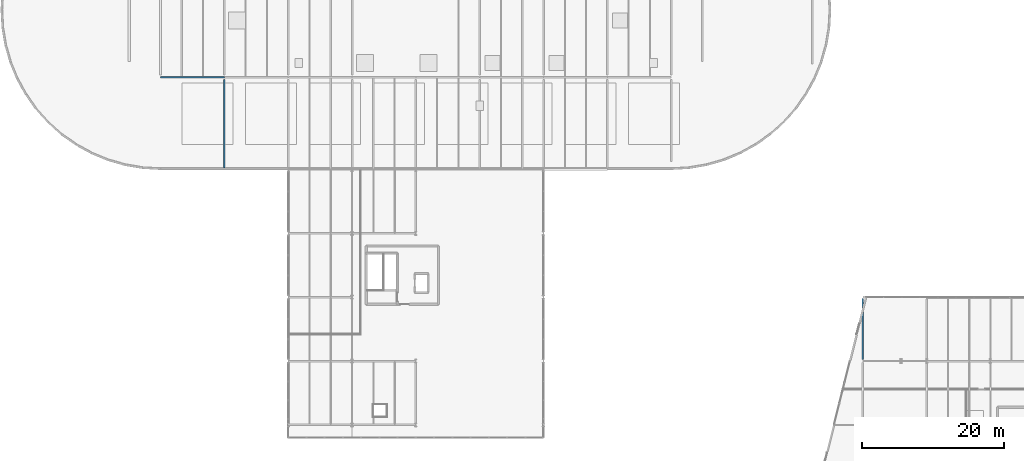
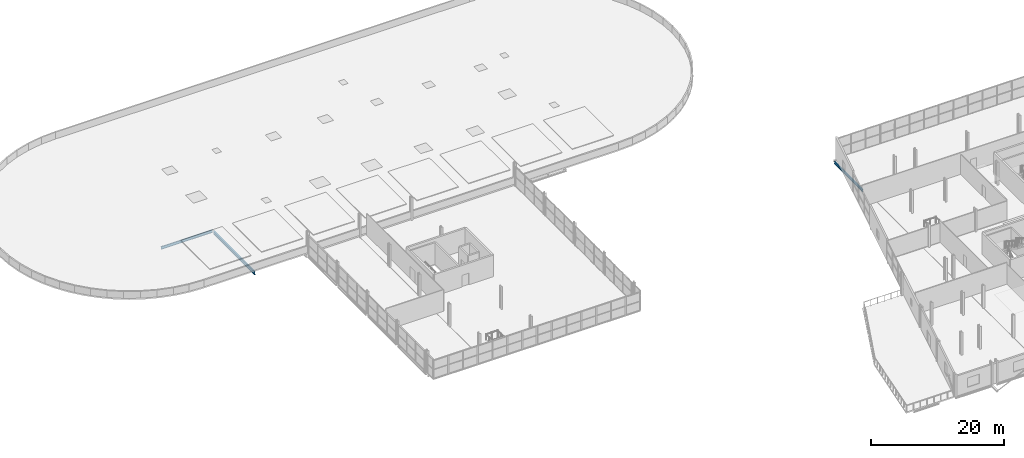
# One storey, part 18 of 59: 3 beams.
"""IFC4 building model written with IfcOpenShell, lengths in metres."""

from ifc_helpers import new_model, si_unit, direction, frame, origin, origin_2d, place, context, subcontext, project, spatial, i_section, extrude, material, material_profile, profile_set, type_object, element, save


model = new_model("IFC4")

# Units and contexts
model_context = context("Model", 3, precision=1e-05, world=origin(), true_north=direction((0.0, 1.0)))
body_context = subcontext(model_context, "Body", "Model", "MODEL_VIEW")
ifc_project = project(units=[si_unit("LENGTHUNIT", "METRE"), si_unit("AREAUNIT", "SQUARE_METRE"), si_unit("VOLUMEUNIT", "CUBIC_METRE"), si_unit("PLANEANGLEUNIT", "RADIAN"), si_unit("MASSUNIT", "GRAM", prefix="KILO")], contexts=[model_context])

# Site, building, storey
site_placement = place(None, origin())
site = spatial("IfcSite", under=ifc_project, at=site_placement, CompositionType="ELEMENT")
building_placement = place(site_placement, origin())
building = spatial("IfcBuilding", under=site, at=building_placement, Name="Deido Ridge Mobility Hub", CompositionType="ELEMENT")
storey_placement = place(building_placement, frame((0.0, 0.0, 21.0)))
storey = spatial("IfcBuildingStorey", under=building, at=storey_placement, Name="L05", CompositionType="ELEMENT", Elevation=21.0)

# Beams
ifc_material = material(Name="Steel S355J2 EN 10025-2", Category="steel")
ifc_material_profile_1 = material_profile(ifc_material, i_section(OverallWidth=0.18994140625, OverallDepth=0.449951171875, WebThickness=0.009521484375, FlangeThickness=0.0146484375, FilletRadius=0.02099609375, at=origin_2d()), Name="IPE 450")
ifc_profile_set_1 = profile_set([ifc_material_profile_1], Name="Steel S355J2 EN 10025-2")
beam_type_1 = type_object("IfcBeamType", Name="BM-IPE450", PredefinedType="BEAM", material=ifc_profile_set_1)
beam_1_placement = place(storey_placement, frame((144.0, 54.196533203125, -0.469970703125), z_axis=(0.0, 1.0, 0.0), x_axis=(-1.0, 0.0, 0.0)))
element("IfcBeam", 1, at=beam_1_placement, inside=storey, type_object=beam_type_1, Name="Floor beam B4", PredefinedType="BEAM", context=body_context, shape_type="SweptSolid", body=[
    extrude(i_section(OverallWidth=0.18994140625, OverallDepth=0.449951171875, WebThickness=0.009521484375, FlangeThickness=0.0146484375, FilletRadius=0.02099609375, at=origin_2d()), origin(), (0.0, 0.0, 1.0), 8.60693359375),
])
ifc_material_profile_2 = material_profile(ifc_material, i_section(OverallWidth=0.199951171875, OverallDepth=0.5, WebThickness=0.01025390625, FlangeThickness=0.01611328125, FilletRadius=0.02099609375, at=origin_2d()), Name="IPE 500")
ifc_profile_set_2 = profile_set([ifc_material_profile_2], Name="Steel S355J2 EN 10025-2")
beam_type_2 = type_object("IfcBeamType", Name="BM-IPE500", PredefinedType="BEAM", material=ifc_profile_set_2)
beam_2_placement = place(storey_placement, frame((45.0078125, 94.0, -0.4951171875), z_axis=(1.0, 0.0, 0.0), x_axis=(0.0, 1.0, 0.0)))
element("IfcBeam", 2, at=beam_2_placement, inside=storey, type_object=beam_type_2, Name="Floor beam B3", PredefinedType="BEAM", context=body_context, shape_type="SweptSolid", body=[
    extrude(i_section(OverallWidth=0.199951171875, OverallDepth=0.5, WebThickness=0.01025390625, FlangeThickness=0.01611328125, FilletRadius=0.02099609375, at=origin_2d()), origin(), (0.0, 0.0, 1.0), 8.984375),
])
ifc_material_profile_3 = material_profile(ifc_material, i_section(OverallWidth=0.219970703125, OverallDepth=0.60009765625, WebThickness=0.011962890625, FlangeThickness=0.01904296875, FilletRadius=0.02392578125, at=origin_2d()), Name="IPE 600")
ifc_profile_set_3 = profile_set([ifc_material_profile_3], Name="Steel S355J2 EN 10025-2")
beam_type_3 = type_object("IfcBeamType", Name="BM-IPE600", PredefinedType="BEAM", material=ifc_profile_set_3)
beam_3_placement = place(storey_placement, frame((54.0, 81.25, -0.544921875), z_axis=(0.0, 1.0, 0.0), x_axis=(-1.0, 0.0, 0.0)))
element("IfcBeam", 3, at=beam_3_placement, inside=storey, type_object=beam_type_3, Name="Floor beam B1", PredefinedType="BEAM", context=body_context, shape_type="SweptSolid", body=[
    extrude(i_section(OverallWidth=0.219970703125, OverallDepth=0.60009765625, WebThickness=0.011962890625, FlangeThickness=0.01904296875, FilletRadius=0.02392578125, at=origin_2d()), origin(), (0.0, 0.0, 1.0), 12.449951171875),
])

save(model, "model.ifc")
